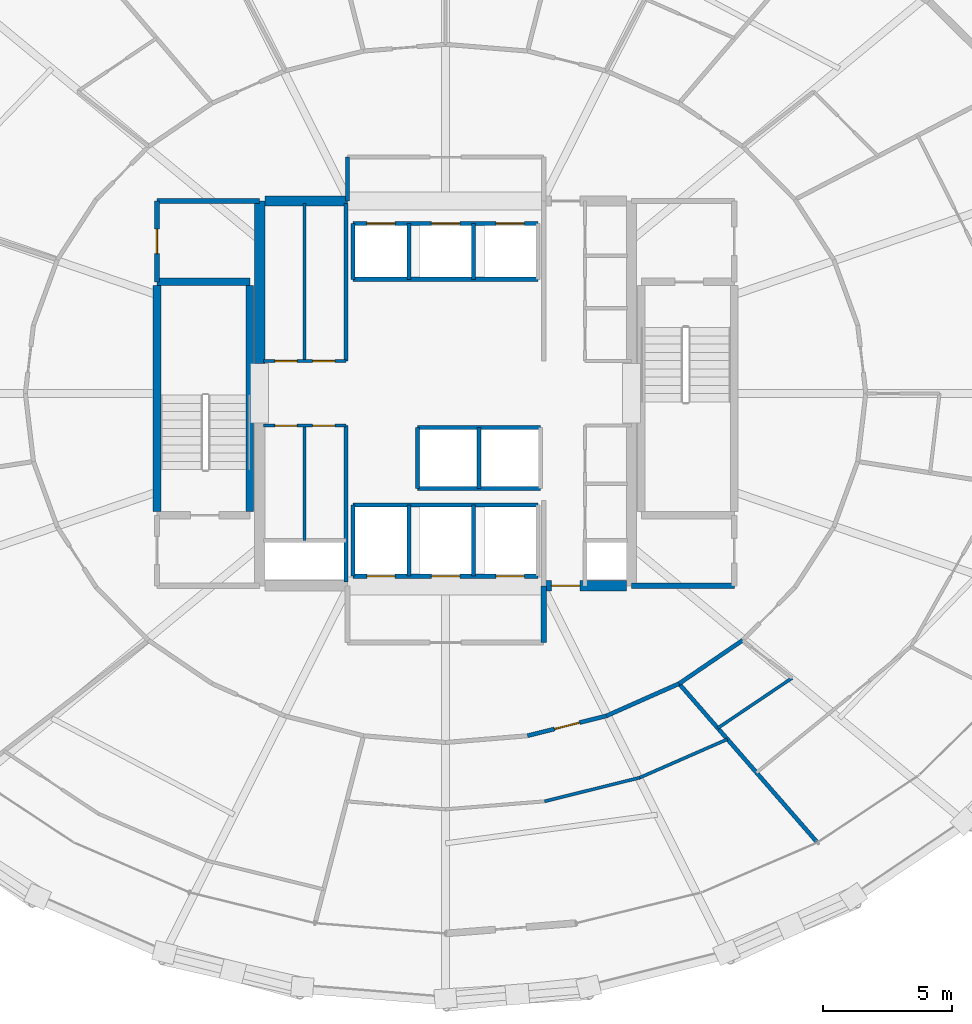
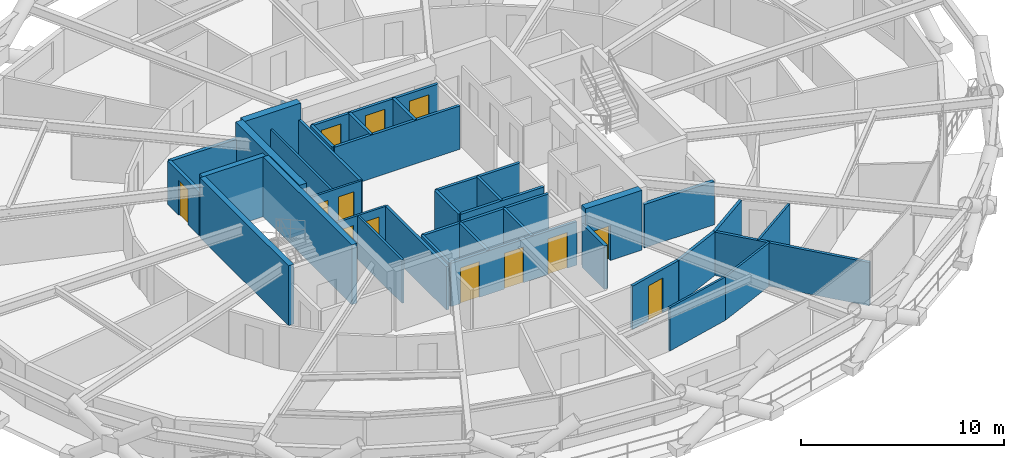
# One storey, part 14 of 19: 38 walls, 13 doors, 13 openings.
"""IFC4 building model written with IfcOpenShell, lengths in metres."""

from ifc_helpers import new_model, si_unit, direction, frame, frame_2d, origin, place, context, subcontext, project, spatial, rectangle, extrude, material, layer, layer_set, type_object, element, fill, save


model = new_model("IFC4")

# Units and contexts
model_context = context("Model", 3, precision=1e-05, world=origin(), true_north=direction((0.0, 1.0)))
body_context = subcontext(model_context, "Body", "Model", "MODEL_VIEW")
ifc_project = project(units=[si_unit("LENGTHUNIT", "METRE"), si_unit("AREAUNIT", "SQUARE_METRE"), si_unit("VOLUMEUNIT", "CUBIC_METRE"), si_unit("PLANEANGLEUNIT", "RADIAN"), si_unit("MASSUNIT", "GRAM", prefix="KILO")], contexts=[model_context])

# Site, building, storey
site_placement = place(None, origin())
site = spatial("IfcSite", under=ifc_project, at=site_placement, CompositionType="ELEMENT")
building_placement = place(site_placement, origin())
building = spatial("IfcBuilding", under=site, at=building_placement, Name="Veldorina Hangang Commons", CompositionType="ELEMENT")
storey_placement = place(building_placement, frame((0.0, 0.0, 52.0)))
storey = spatial("IfcBuildingStorey", under=building, at=storey_placement, Name="L12", CompositionType="ELEMENT", Elevation=52.0)

# Wall
ifc_material_1 = material(Name="Concrete C70/85", Category="concrete")
ifc_layer_1 = layer(ifc_material_1, 0.39990234375)
ifc_layer_set_1 = layer_set([ifc_layer_1], Name="Concrete C70/85")
wall_type_1 = type_object("IfcWallType", Name="CW-RC400-C70", PredefinedType="SHEAR", material=ifc_layer_set_1)
wall_1_placement = place(storey_placement, frame((24.800048828125, 25.14990234375, 0.0), z_axis=(0.0, 0.0, 1.0), x_axis=(0.0, 1.0, 0.0)))
element("IfcWall", 1, at=wall_1_placement, inside=storey, type_object=wall_type_1, Name="L12 W north core shear wall", PredefinedType="SHEAR", context=body_context, shape_type="SweptSolid", body=[
    extrude(rectangle(XDim=6.300048828125, YDim=0.39990234375, at=frame_2d((3.14990234375, 0.0))), origin(), (0.0, 0.0, 1.0), 3.60009765625),
])

# Wall, opening, door
wall_2_placement = place(storey_placement, frame((35.800048828125, 16.550048828125, 0.0), z_axis=(0.0, 0.0, 1.0), x_axis=(1.0, 0.0, 0.0)))
wall_2 = element("IfcWall", 2, at=wall_2_placement, inside=storey, type_object=wall_type_1, Name="L12 south-east core shear wall", PredefinedType="SHEAR", context=body_context, shape_type="SweptSolid", body=[
    extrude(rectangle(XDim=3.199951171875, YDim=0.39990234375, at=frame_2d((1.60009765625, 0.0))), origin(), (0.0, 0.0, 1.0), 3.60009765625),
])
opening_1_placement = place(wall_2_placement, frame((0.300048828125, 0.0, 0.0)))
opening_1 = element("IfcOpeningElement", 3, at=opening_1_placement, cuts=wall_2, Name="Opening D-08", PredefinedType="OPENING", context=body_context, shape_type="SweptSolid", body=[
    extrude(rectangle(XDim=1.10009765625, YDim=2.10009765625, at=frame_2d((0.550048828125, 1.050048828125))), frame((0.0, 0.2099609375, 0.0), z_axis=(0.0, -1.0, 0.0), x_axis=(1.0, 0.0, 0.0)), (0.0, 0.0, 1.0), 0.419921875),
])
ifc_material_2 = material(Name="Steel Fire-Rated Smoke Seal", Category="steel")
door_type_1 = type_object("IfcDoorType", Name="DR-FIRE-1100", OperationType="SINGLE_SWING_RIGHT", PredefinedType="DOOR", material=ifc_material_2)
door_1_placement = place(opening_1_placement, origin())
door_1 = element("IfcDoor", 4, at=door_1_placement, inside=storey, type_object=door_type_1, Name="L12 central lift lobby south corridor door", OperationType="SINGLE_SWING_RIGHT", OverallHeight=2.10009765625, OverallWidth=1.10009765625, PredefinedType="DOOR", context=body_context, shape_type="SweptSolid", body=[
    extrude(rectangle(XDim=1.10009765625, YDim=2.10009765625, at=frame_2d((0.550048828125, 1.050048828125))), frame((0.0, 0.02490234375, 0.0), z_axis=(0.0, -1.0, 0.0), x_axis=(1.0, 0.0, 0.0)), (0.0, 0.0, 1.0), 0.050048828125),
])
fill(opening_1, door_1)

# Walls
wall_3_placement = place(storey_placement, frame((25.0, 31.449951171875, 0.0), z_axis=(0.0, 0.0, 1.0), x_axis=(1.0, 0.0, 0.0)))
element("IfcWall", 5, at=wall_3_placement, inside=storey, type_object=wall_type_1, Name="L12 north-west core shear wall", PredefinedType="SHEAR", context=body_context, shape_type="SweptSolid", body=[
    extrude(rectangle(XDim=3.199951171875, YDim=0.39990234375, at=frame_2d((1.60009765625, 0.0))), origin(), (0.0, 0.0, 1.0), 3.60009765625),
])
ifc_material_3 = material(Name="Concrete C50/60", Category="concrete")
ifc_layer_2 = layer(ifc_material_3, 0.300048828125)
ifc_layer_set_2 = layer_set([ifc_layer_2], Name="Concrete C50/60")
wall_type_2 = type_object("IfcWallType", Name="SW-STAIR-300", PredefinedType="SHEAR", material=ifc_layer_set_2)
for number, where, z_axis, x_axis, name in (
    (6, (20.820068359375, 19.429931640625, 0.0), (0.0, 0.0, 1.0), (0.0, 1.0, 0.0), "L12 ST1 outer stair shear wall"),
    (7, (24.419921875, 19.429931640625, 0.0), (0.0, 0.0, 1.0), (0.0, 1.0, 0.0), "L12 ST1 inner stair shear wall"),
):
    element("IfcWall", number, at=place(storey_placement, frame(where, z_axis=z_axis, x_axis=x_axis)), inside=storey, type_object=wall_type_2, Name=name, PredefinedType="SHEAR", context=body_context, shape_type="SweptSolid", body=[
        extrude(rectangle(XDim=8.739990234375, YDim=0.300048828125, at=frame_2d((4.3701171875, 0.0))), origin(), (0.0, 0.0, 1.0), 3.60009765625),
    ])
wall_4_placement = place(storey_placement, frame((20.820068359375, 28.320068359375, 0.0), z_axis=(0.0, 0.0, 1.0), x_axis=(1.0, 0.0, 0.0)))
element("IfcWall", 8, at=wall_4_placement, inside=storey, type_object=wall_type_2, Name="L12 ST1 north stair shear wall", PredefinedType="SHEAR", context=body_context, shape_type="SweptSolid", body=[
    extrude(rectangle(XDim=3.599853515625, YDim=0.300048828125, at=frame_2d((1.7998046875, 0.0))), origin(), (0.0, 0.0, 1.0), 3.60009765625),
])

# Wall, openings, doors
ifc_material_4 = material(Name="Gypsum Fire-Rated Twin Stud Wall", Category="gypsum")
ifc_layer_3 = layer(ifc_material_4, 0.159912109375)
ifc_layer_set_3 = layer_set([ifc_layer_3], Name="Gypsum Fire-Rated Twin Stud Wall")
wall_type_3 = type_object("IfcWallType", Name="WL-FIRE-160", PredefinedType="SOLIDWALL", material=ifc_layer_set_3)
wall_5_placement = place(storey_placement, frame((28.419921875, 30.580078125, 0.0), z_axis=(0.0, 0.0, 1.0), x_axis=(1.0, 0.0, 0.0)))
wall_5 = element("IfcWall", 9, at=wall_5_placement, inside=storey, type_object=wall_type_3, Name="L12 Low-bank front shaft wall 015", PredefinedType="SOLIDWALL", context=body_context, shape_type="SweptSolid", body=[
    extrude(rectangle(XDim=7.16015625, YDim=0.159912109375, at=frame_2d((3.580078125, 0.0))), origin(), (0.0, 0.0, 1.0), 2.610107421875),
])
opening_2_placement = place(wall_5_placement, frame((0.530029296875, 0.0, 0.0)))
opening_2 = element("IfcOpeningElement", 10, at=opening_2_placement, cuts=wall_5, Name="Opening LD-01", PredefinedType="OPENING", context=body_context, shape_type="SweptSolid", body=[
    extrude(rectangle(XDim=1.10009765625, YDim=2.14990234375, at=frame_2d((0.550048828125, 1.074951171875))), frame((0.0, 0.08984375, 0.0), z_axis=(0.0, -1.0, 0.0), x_axis=(1.0, 0.0, 0.0)), (0.0, 0.0, 1.0), 0.179931640625),
])
opening_3_placement = place(wall_5_placement, frame((3.030029296875, 0.0, 0.0)))
opening_3 = element("IfcOpeningElement", 11, at=opening_3_placement, cuts=wall_5, Name="Opening LD-01", PredefinedType="OPENING", context=body_context, shape_type="SweptSolid", body=[
    extrude(rectangle(XDim=1.10009765625, YDim=2.14990234375, at=frame_2d((0.550048828125, 1.074951171875))), frame((0.0, 0.08984375, 0.0), z_axis=(0.0, -1.0, 0.0), x_axis=(1.0, 0.0, 0.0)), (0.0, 0.0, 1.0), 0.179931640625),
])
opening_4_placement = place(wall_5_placement, frame((5.530029296875, 0.0, 0.0)))
opening_4 = element("IfcOpeningElement", 12, at=opening_4_placement, cuts=wall_5, Name="Opening LD-01", PredefinedType="OPENING", context=body_context, shape_type="SweptSolid", body=[
    extrude(rectangle(XDim=1.10009765625, YDim=2.14990234375, at=frame_2d((0.550048828125, 1.074951171875))), frame((0.0, 0.08984375, 0.0), z_axis=(0.0, -1.0, 0.0), x_axis=(1.0, 0.0, 0.0)), (0.0, 0.0, 1.0), 0.179931640625),
])
ifc_material_5 = material(Name="Stainless Steel Brushed Lift Door", Category="steel")
door_type_2 = type_object("IfcDoorType", Name="DR-LIFT-1100", OperationType="SLIDING_TO_LEFT", PredefinedType="DOOR", material=ifc_material_5)
door_2_placement = place(opening_2_placement, origin())
door_2 = element("IfcDoor", 13, at=door_2_placement, inside=storey, type_object=door_type_2, Name="L12 Lift PL-L1 landing door 006", OperationType="SLIDING_TO_LEFT", OverallHeight=2.14990234375, OverallWidth=1.10009765625, PredefinedType="DOOR", context=body_context, shape_type="SweptSolid", body=[
    extrude(rectangle(XDim=1.10009765625, YDim=2.14990234375, at=frame_2d((0.550048828125, 1.074951171875))), frame((0.0, 0.02490234375, 0.0), z_axis=(0.0, -1.0, 0.0), x_axis=(1.0, 0.0, 0.0)), (0.0, 0.0, 1.0), 0.050048828125),
])
fill(opening_2, door_2)
door_3_placement = place(opening_3_placement, origin())
door_3 = element("IfcDoor", 14, at=door_3_placement, inside=storey, type_object=door_type_2, Name="L12 Lift PL-L2 landing door 007", OperationType="SLIDING_TO_LEFT", OverallHeight=2.14990234375, OverallWidth=1.10009765625, PredefinedType="DOOR", context=body_context, shape_type="SweptSolid", body=[
    extrude(rectangle(XDim=1.10009765625, YDim=2.14990234375, at=frame_2d((0.550048828125, 1.074951171875))), frame((0.0, 0.02490234375, 0.0), z_axis=(0.0, -1.0, 0.0), x_axis=(1.0, 0.0, 0.0)), (0.0, 0.0, 1.0), 0.050048828125),
])
fill(opening_3, door_3)
door_4_placement = place(opening_4_placement, origin())
door_4 = element("IfcDoor", 15, at=door_4_placement, inside=storey, type_object=door_type_2, Name="L12 Lift PL-L3 landing door 008", OperationType="SLIDING_TO_LEFT", OverallHeight=2.14990234375, OverallWidth=1.10009765625, PredefinedType="DOOR", context=body_context, shape_type="SweptSolid", body=[
    extrude(rectangle(XDim=1.10009765625, YDim=2.14990234375, at=frame_2d((0.550048828125, 1.074951171875))), frame((0.0, 0.02490234375, 0.0), z_axis=(0.0, -1.0, 0.0), x_axis=(1.0, 0.0, 0.0)), (0.0, 0.0, 1.0), 0.050048828125),
])
fill(opening_4, door_4)

# Walls
wall_6_placement = place(storey_placement, frame((28.419921875, 28.419921875, 0.0), z_axis=(0.0, 0.0, 1.0), x_axis=(1.0, 0.0, 0.0)))
element("IfcWall", 16, at=wall_6_placement, inside=storey, type_object=wall_type_3, Name="L12 Low-bank rear shaft wall 016", PredefinedType="SOLIDWALL", context=body_context, shape_type="SweptSolid", body=[
    extrude(rectangle(XDim=7.16015625, YDim=0.159912109375, at=frame_2d((3.580078125, 0.0))), origin(), (0.0, 0.0, 1.0), 2.610107421875),
])
for number, where, z_axis, x_axis, name in (
    (17, (28.419921875, 28.419921875, 0.0), (0.0, 0.0, 1.0), (0.0, 1.0, 0.0), "L12 PL-L1 west shaft wall 017"),
    (18, (30.580078125, 28.419921875, 0.0), (0.0, 0.0, 1.0), (0.0, 1.0, 0.0), "L12 PL-L1 east shaft wall 018"),
    (19, (33.080078125, 28.419921875, 0.0), (0.0, 0.0, 1.0), (0.0, 1.0, 0.0), "L12 PL-L2 east shaft wall 019"),
):
    element("IfcWall", number, at=place(storey_placement, frame(where, z_axis=z_axis, x_axis=x_axis)), inside=storey, type_object=wall_type_3, Name=name, PredefinedType="SOLIDWALL", context=body_context, shape_type="SweptSolid", body=[
        extrude(rectangle(XDim=2.16015625, YDim=0.159912109375, at=frame_2d((1.080078125, 0.0))), origin(), (0.0, 0.0, 1.0), 2.610107421875),
    ])
for number, where, z_axis, x_axis, name in (
    (20, (30.919921875, 22.679931640625, 0.0), (0.0, 0.0, 1.0), (1.0, 0.0, 0.0), "L12 Shuttle-high front shaft wall 021"),
    (21, (30.919921875, 20.320068359375, 0.0), (0.0, 0.0, 1.0), (1.0, 0.0, 0.0), "L12 Shuttle-high rear shaft wall 022"),
):
    element("IfcWall", number, at=place(storey_placement, frame(where, z_axis=z_axis, x_axis=x_axis)), inside=storey, type_object=wall_type_3, Name=name, PredefinedType="SOLIDWALL", context=body_context, shape_type="SweptSolid", body=[
        extrude(rectangle(XDim=4.760009765625, YDim=0.159912109375, at=frame_2d((2.3798828125, 0.0))), origin(), (0.0, 0.0, 1.0), 2.610107421875),
    ])
for number, where, z_axis, x_axis, name in (
    (22, (30.919921875, 20.320068359375, 0.0), (0.0, 0.0, 1.0), (0.0, 1.0, 0.0), "L12 SL-1 west shaft wall 023"),
    (23, (33.300048828125, 20.320068359375, 0.0), (0.0, 0.0, 1.0), (0.0, 1.0, 0.0), "L12 SL-1 east shaft wall 024"),
):
    element("IfcWall", number, at=place(storey_placement, frame(where, z_axis=z_axis, x_axis=x_axis)), inside=storey, type_object=wall_type_3, Name=name, PredefinedType="SOLIDWALL", context=body_context, shape_type="SweptSolid", body=[
        extrude(rectangle(XDim=2.35986328125, YDim=0.159912109375, at=frame_2d((1.179931640625, 0.0))), origin(), (0.0, 0.0, 1.0), 2.610107421875),
    ])

# Wall, openings, doors
wall_7_placement = place(storey_placement, frame((28.419921875, 16.919921875, 0.0), z_axis=(0.0, 0.0, 1.0), x_axis=(1.0, 0.0, 0.0)))
wall_7 = element("IfcWall", 24, at=wall_7_placement, inside=storey, type_object=wall_type_3, Name="L12 Emergency front shaft wall 026", PredefinedType="SOLIDWALL", context=body_context, shape_type="SweptSolid", body=[
    extrude(rectangle(XDim=7.16015625, YDim=0.159912109375, at=frame_2d((3.580078125, 0.0))), origin(), (0.0, 0.0, 1.0), 2.610107421875),
])
opening_5_placement = place(wall_7_placement, frame((0.530029296875, 0.0, 0.0)))
opening_5 = element("IfcOpeningElement", 25, at=opening_5_placement, cuts=wall_7, Name="Opening LD-03", PredefinedType="OPENING", context=body_context, shape_type="SweptSolid", body=[
    extrude(rectangle(XDim=1.10009765625, YDim=2.14990234375, at=frame_2d((0.550048828125, 1.074951171875))), frame((0.0, 0.08984375, 0.0), z_axis=(0.0, -1.0, 0.0), x_axis=(1.0, 0.0, 0.0)), (0.0, 0.0, 1.0), 0.179931640625),
])
opening_6_placement = place(wall_7_placement, frame((3.030029296875, 0.0, 0.0)))
opening_6 = element("IfcOpeningElement", 26, at=opening_6_placement, cuts=wall_7, Name="Opening LD-03", PredefinedType="OPENING", context=body_context, shape_type="SweptSolid", body=[
    extrude(rectangle(XDim=1.10009765625, YDim=2.14990234375, at=frame_2d((0.550048828125, 1.074951171875))), frame((0.0, 0.08984375, 0.0), z_axis=(0.0, -1.0, 0.0), x_axis=(1.0, 0.0, 0.0)), (0.0, 0.0, 1.0), 0.179931640625),
])
opening_7_placement = place(wall_7_placement, frame((5.530029296875, 0.0, 0.0)))
opening_7 = element("IfcOpeningElement", 27, at=opening_7_placement, cuts=wall_7, Name="Opening LD-03", PredefinedType="OPENING", context=body_context, shape_type="SweptSolid", body=[
    extrude(rectangle(XDim=1.10009765625, YDim=2.14990234375, at=frame_2d((0.550048828125, 1.074951171875))), frame((0.0, 0.08984375, 0.0), z_axis=(0.0, -1.0, 0.0), x_axis=(1.0, 0.0, 0.0)), (0.0, 0.0, 1.0), 0.179931640625),
])
ifc_material_6 = material(Name="Stainless Steel Firefighting Lift Door", Category="steel")
door_type_3 = type_object("IfcDoorType", Name="DR-LIFT-FF1100", OperationType="SLIDING_TO_RIGHT", PredefinedType="DOOR", material=ifc_material_6)
door_5_placement = place(opening_5_placement, origin())
door_5 = element("IfcDoor", 28, at=door_5_placement, inside=storey, type_object=door_type_3, Name="L12 Emergency lift FFL-1 landing door 009", OperationType="SLIDING_TO_RIGHT", OverallHeight=2.14990234375, OverallWidth=1.10009765625, PredefinedType="DOOR", context=body_context, shape_type="SweptSolid", body=[
    extrude(rectangle(XDim=1.10009765625, YDim=2.14990234375, at=frame_2d((0.550048828125, 1.074951171875))), frame((0.0, 0.02490234375, 0.0), z_axis=(0.0, -1.0, 0.0), x_axis=(1.0, 0.0, 0.0)), (0.0, 0.0, 1.0), 0.050048828125),
])
fill(opening_5, door_5)
door_6_placement = place(opening_6_placement, origin())
door_6 = element("IfcDoor", 29, at=door_6_placement, inside=storey, type_object=door_type_3, Name="L12 Emergency lift FFL-2 landing door 010", OperationType="SLIDING_TO_RIGHT", OverallHeight=2.14990234375, OverallWidth=1.10009765625, PredefinedType="DOOR", context=body_context, shape_type="SweptSolid", body=[
    extrude(rectangle(XDim=1.10009765625, YDim=2.14990234375, at=frame_2d((0.550048828125, 1.074951171875))), frame((0.0, 0.02490234375, 0.0), z_axis=(0.0, -1.0, 0.0), x_axis=(1.0, 0.0, 0.0)), (0.0, 0.0, 1.0), 0.050048828125),
])
fill(opening_6, door_6)
door_7_placement = place(opening_7_placement, origin())
door_7 = element("IfcDoor", 30, at=door_7_placement, inside=storey, type_object=door_type_3, Name="L12 Emergency lift EVL-1 landing door 011", OperationType="SLIDING_TO_RIGHT", OverallHeight=2.14990234375, OverallWidth=1.10009765625, PredefinedType="DOOR", context=body_context, shape_type="SweptSolid", body=[
    extrude(rectangle(XDim=1.10009765625, YDim=2.14990234375, at=frame_2d((0.550048828125, 1.074951171875))), frame((0.0, 0.02490234375, 0.0), z_axis=(0.0, -1.0, 0.0), x_axis=(1.0, 0.0, 0.0)), (0.0, 0.0, 1.0), 0.050048828125),
])
fill(opening_7, door_7)

# Walls
wall_8_placement = place(storey_placement, frame((28.419921875, 19.679931640625, 0.0), z_axis=(0.0, 0.0, 1.0), x_axis=(1.0, 0.0, 0.0)))
element("IfcWall", 31, at=wall_8_placement, inside=storey, type_object=wall_type_3, Name="L12 Emergency rear shaft wall 027", PredefinedType="SOLIDWALL", context=body_context, shape_type="SweptSolid", body=[
    extrude(rectangle(XDim=7.16015625, YDim=0.159912109375, at=frame_2d((3.580078125, 0.0))), origin(), (0.0, 0.0, 1.0), 2.610107421875),
])
for number, where, z_axis, x_axis, name in (
    (32, (28.419921875, 16.919921875, 0.0), (0.0, 0.0, 1.0), (0.0, 1.0, 0.0), "L12 FFL-1 west shaft wall 028"),
    (33, (30.580078125, 16.919921875, 0.0), (0.0, 0.0, 1.0), (0.0, 1.0, 0.0), "L12 FFL-1 east shaft wall 029"),
    (34, (33.080078125, 16.919921875, 0.0), (0.0, 0.0, 1.0), (0.0, 1.0, 0.0), "L12 FFL-2 east shaft wall 030"),
):
    element("IfcWall", number, at=place(storey_placement, frame(where, z_axis=z_axis, x_axis=x_axis)), inside=storey, type_object=wall_type_3, Name=name, PredefinedType="SOLIDWALL", context=body_context, shape_type="SweptSolid", body=[
        extrude(rectangle(XDim=2.760009765625, YDim=0.159912109375, at=frame_2d((1.3798828125, 0.0))), origin(), (0.0, 0.0, 1.0), 2.610107421875),
    ])
wall_9_placement = place(storey_placement, frame((28.199951171875, 31.449951171875, 0.0), z_axis=(0.0, 0.0, 1.0), x_axis=(0.0, 1.0, 0.0)))
element("IfcWall", 35, at=wall_9_placement, inside=storey, type_object=wall_type_3, Name="L12 North lobby west wall 032", PredefinedType="SOLIDWALL", context=body_context, shape_type="SweptSolid", body=[
    extrude(rectangle(XDim=1.699951171875, YDim=0.159912109375, at=frame_2d((0.85009765625, 0.0))), origin(), (0.0, 0.0, 1.0), 2.610107421875),
])
wall_10_placement = place(storey_placement, frame((28.14990234375, 16.699951171875, 0.0), z_axis=(0.0, 0.0, 1.0), x_axis=(0.0, 1.0, 0.0)))
element("IfcWall", 36, at=wall_10_placement, inside=storey, type_object=wall_type_3, Name="L12 SW core inner wall 036", PredefinedType="SOLIDWALL", context=body_context, shape_type="SweptSolid", body=[
    extrude(rectangle(XDim=6.050048828125, YDim=0.159912109375, at=frame_2d((3.02490234375, 0.0))), origin(), (0.0, 0.0, 1.0), 2.610107421875),
])
wall_11_placement = place(storey_placement, frame((28.14990234375, 25.25, 0.0), z_axis=(0.0, 0.0, 1.0), x_axis=(0.0, 1.0, 0.0)))
element("IfcWall", 37, at=wall_11_placement, inside=storey, type_object=wall_type_3, Name="L12 NW core inner wall 038", PredefinedType="SOLIDWALL", context=body_context, shape_type="SweptSolid", body=[
    extrude(rectangle(XDim=6.10009765625, YDim=0.159912109375, at=frame_2d((3.050048828125, 0.0))), origin(), (0.0, 0.0, 1.0), 2.610107421875),
])

# Wall, opening, door
wall_12_placement = place(storey_placement, frame((35.1748046875, 10.74169921875, 0.0), z_axis=(0.0, 0.0, 1.0), x_axis=(0.969689238064, 0.244341526521, 0.0)))
wall_12 = element("IfcWall", 38, at=wall_12_placement, inside=storey, type_object=wall_type_3, Name="L12 Corridor outer wall 25 075", PredefinedType="SOLIDWALL", context=body_context, shape_type="SweptSolid", body=[
    extrude(rectangle(XDim=3.1484375, YDim=0.159912109375, at=frame_2d((1.57421875, 0.0))), origin(), (0.0, 0.0, 1.0), 2.610107421875),
])
opening_8_placement = place(wall_12_placement, frame((1.07421875, 0.0, 0.0)))
opening_8 = element("IfcOpeningElement", 39, at=opening_8_placement, cuts=wall_12, Name="Opening D-05", PredefinedType="OPENING", context=body_context, shape_type="SweptSolid", body=[
    extrude(rectangle(XDim=1.0, YDim=2.10009765625, at=frame_2d((0.5, 1.050048828125))), frame((0.0, 0.08984375, 0.0), z_axis=(0.0, -1.0, 0.0), x_axis=(1.0, 0.0, 0.0)), (0.0, 0.0, 1.0), 0.179931640625),
])
ifc_material_7 = material(Name="Timber Solid Core Acoustic", Category="wood")
door_type_4 = type_object("IfcDoorType", Name="DR-INT-1000", OperationType="SINGLE_SWING_RIGHT", PredefinedType="DOOR", material=ifc_material_7)
door_8_placement = place(opening_8_placement, origin())
door_8 = element("IfcDoor", 40, at=door_8_placement, inside=storey, type_object=door_type_4, Name="L12 Commons alcove door 022", OperationType="SINGLE_SWING_RIGHT", OverallHeight=2.10009765625, OverallWidth=1.0, PredefinedType="DOOR", context=body_context, shape_type="SweptSolid", body=[
    extrude(rectangle(XDim=1.0, YDim=2.10009765625, at=frame_2d((0.5, 1.050048828125))), frame((0.0, 0.02490234375, 0.0), z_axis=(0.0, -1.0, 0.0), x_axis=(1.0, 0.0, 0.0)), (0.0, 0.0, 1.0), 0.050048828125),
])
fill(opening_8, door_8)

# Walls
wall_13_placement = place(storey_placement, frame((38.227783203125, 11.510986328125, 0.0), z_axis=(0.0, 0.0, 1.0), x_axis=(0.913952123493, 0.405822024984, 0.0)))
element("IfcWall", 41, at=wall_13_placement, inside=storey, type_object=wall_type_3, Name="L12 Corridor outer wall 26 076", PredefinedType="SOLIDWALL", context=body_context, shape_type="SweptSolid", body=[
    extrude(rectangle(XDim=3.078369140625, YDim=0.159912109375, at=frame_2d((1.5390625, 0.0))), origin(), (0.0, 0.0, 1.0), 2.610107421875),
])
wall_14_placement = place(storey_placement, frame((41.041259765625, 12.76025390625, 0.0), z_axis=(0.0, 0.0, 1.0), x_axis=(0.826293096206, 0.56324037423, 0.0)))
element("IfcWall", 42, at=wall_14_placement, inside=storey, type_object=wall_type_3, Name="L12 Corridor outer wall 27 077", PredefinedType="SOLIDWALL", context=body_context, shape_type="SweptSolid", body=[
    extrude(rectangle(XDim=2.98486328125, YDim=0.159912109375, at=frame_2d((1.492431640625, 0.0))), origin(), (0.0, 0.0, 1.0), 2.610107421875),
])
wall_15_placement = place(storey_placement, frame((41.041259765625, 12.76025390625, 0.0), z_axis=(0.0, 0.0, 1.0), x_axis=(0.656743729698, -0.754113833252, 0.0)))
element("IfcWall", 43, at=wall_15_placement, inside=storey, type_object=wall_type_3, Name="L12 Unit party wall 27 087", PredefinedType="SOLIDWALL", context=body_context, shape_type="SweptSolid", body=[
    extrude(rectangle(XDim=8.106201171875, YDim=0.159912109375, at=frame_2d((4.05322265625, 0.0))), origin(), (0.0, 0.0, 1.0), 2.610107421875),
])

# Wall, opening, door
ifc_material_8 = material(Name="Concrete Blockwork Fire Wall C30/37", Category="masonry")
ifc_layer_4 = layer(ifc_material_8, 0.199951171875)
ifc_layer_set_4 = layer_set([ifc_layer_4], Name="Concrete Blockwork Fire Wall C30/37")
wall_type_4 = type_object("IfcWallType", Name="WL-FIRE-200", PredefinedType="SOLIDWALL", material=ifc_layer_set_4)
wall_16_placement = place(storey_placement, frame((20.820068359375, 28.320068359375, 0.0), z_axis=(0.0, 0.0, 1.0), x_axis=(0.0, 1.0, 0.0)))
wall_16 = element("IfcWall", 44, at=wall_16_placement, inside=storey, type_object=wall_type_4, Name="L12 NW core room outer wall 005", PredefinedType="SOLIDWALL", context=body_context, shape_type="SweptSolid", body=[
    extrude(rectangle(XDim=3.1298828125, YDim=0.199951171875, at=frame_2d((1.56494140625, 0.0))), origin(), (0.0, 0.0, 1.0), 2.610107421875),
])
opening_9_placement = place(wall_16_placement, frame((1.090087890625, 0.0, 0.0)))
opening_9 = element("IfcOpeningElement", 45, at=opening_9_placement, cuts=wall_16, Name="Opening D-04", PredefinedType="OPENING", context=body_context, shape_type="SweptSolid", body=[
    extrude(rectangle(XDim=0.949951171875, YDim=2.10009765625, at=frame_2d((0.47509765625, 1.050048828125))), frame((0.0, 0.10986328125, 0.0), z_axis=(0.0, -1.0, 0.0), x_axis=(1.0, 0.0, 0.0)), (0.0, 0.0, 1.0), 0.219970703125),
])
ifc_material_9 = material(Name="Timber Accessible Flush Leaf", Category="wood")
door_type_5 = type_object("IfcDoorType", Name="DR-ACC-950", OperationType="SINGLE_SWING_LEFT", PredefinedType="DOOR", material=ifc_material_9)
door_9_placement = place(opening_9_placement, origin())
door_9 = element("IfcDoor", 46, at=door_9_placement, inside=storey, type_object=door_type_5, Name="L12 NW core WC door 003", OperationType="SINGLE_SWING_LEFT", OverallHeight=2.10009765625, OverallWidth=0.949951171875, PredefinedType="DOOR", context=body_context, shape_type="SweptSolid", body=[
    extrude(rectangle(XDim=0.949951171875, YDim=2.10009765625, at=frame_2d((0.47509765625, 1.050048828125))), frame((0.0, 0.02490234375, 0.0), z_axis=(0.0, -1.0, 0.0), x_axis=(1.0, 0.0, 0.0)), (0.0, 0.0, 1.0), 0.050048828125),
])
fill(opening_9, door_9)

# Walls
for number, where, z_axis, x_axis, name in (
    (47, (20.820068359375, 31.449951171875, 0.0), (0.0, 0.0, 1.0), (1.0, 0.0, 0.0), "L12 NW core room north wall 006"),
    (48, (39.199951171875, 16.550048828125, 0.0), (0.0, 0.0, 1.0), (1.0, 0.0, 0.0), "L12 SE core room south wall 008"),
):
    element("IfcWall", number, at=place(storey_placement, frame(where, z_axis=z_axis, x_axis=x_axis)), inside=storey, type_object=wall_type_4, Name=name, PredefinedType="SOLIDWALL", context=body_context, shape_type="SweptSolid", body=[
        extrude(rectangle(XDim=3.97998046875, YDim=0.199951171875, at=frame_2d((1.989990234375, 0.0))), origin(), (0.0, 0.0, 1.0), 2.610107421875),
    ])
wall_17_placement = place(storey_placement, frame((35.800048828125, 14.35009765625, 0.0), z_axis=(0.0, 0.0, 1.0), x_axis=(0.0, 1.0, 0.0)))
element("IfcWall", 49, at=wall_17_placement, inside=storey, type_object=wall_type_4, Name="L12 FF lobby east wall 013", PredefinedType="SOLIDWALL", context=body_context, shape_type="SweptSolid", body=[
    extrude(rectangle(XDim=2.199951171875, YDim=0.199951171875, at=frame_2d((1.10009765625, 0.0))), origin(), (0.0, 0.0, 1.0), 2.610107421875),
])

# Wall, openings, doors
ifc_material_10 = material(Name="Gypsum Acoustic Stud Partition", Category="gypsum")
ifc_layer_5 = layer(ifc_material_10, 0.1201171875)
ifc_layer_set_5 = layer_set([ifc_layer_5], Name="Gypsum Acoustic Stud Partition")
wall_type_5 = type_object("IfcWallType", Name="WL-PART-120", PredefinedType="PARTITIONING", material=ifc_layer_set_5)
wall_18_placement = place(storey_placement, frame((24.949951171875, 25.25, 0.0), z_axis=(0.0, 0.0, 1.0), x_axis=(1.0, 0.0, 0.0)))
wall_18 = element("IfcWall", 50, at=wall_18_placement, inside=storey, type_object=wall_type_5, Name="L12 NW service south wall 039", PredefinedType="PARTITIONING", context=body_context, shape_type="SweptSolid", body=[
    extrude(rectangle(XDim=3.199951171875, YDim=0.1201171875, at=frame_2d((1.60009765625, 0.0))), origin(), (0.0, 0.0, 1.0), 2.610107421875),
])
opening_10_placement = place(wall_18_placement, frame((0.43994140625, 0.0, 0.0)))
opening_10 = element("IfcOpeningElement", 51, at=opening_10_placement, cuts=wall_18, Name="Opening D-01", PredefinedType="OPENING", context=body_context, shape_type="SweptSolid", body=[
    extrude(rectangle(XDim=0.860107421875, YDim=2.10009765625, at=frame_2d((0.43017578125, 1.050048828125))), frame((0.0, 0.070068359375, 0.0), z_axis=(0.0, -1.0, 0.0), x_axis=(1.0, 0.0, 0.0)), (0.0, 0.0, 1.0), 0.14013671875),
])
opening_11_placement = place(wall_18_placement, frame((1.89990234375, 0.0, 0.0)))
opening_11 = element("IfcOpeningElement", 52, at=opening_11_placement, cuts=wall_18, Name="Opening D-01", PredefinedType="OPENING", context=body_context, shape_type="SweptSolid", body=[
    extrude(rectangle(XDim=0.860107421875, YDim=2.10009765625, at=frame_2d((0.43017578125, 1.050048828125))), frame((0.0, 0.070068359375, 0.0), z_axis=(0.0, -1.0, 0.0), x_axis=(1.0, 0.0, 0.0)), (0.0, 0.0, 1.0), 0.14013671875),
])
ifc_material_11 = material(Name="Timber Moisture-Resistant Core", Category="wood")
door_type_6 = type_object("IfcDoorType", Name="DR-WET-860", OperationType="SINGLE_SWING_LEFT", PredefinedType="DOOR", material=ifc_material_11)
door_10_placement = place(opening_10_placement, origin())
door_10 = element("IfcDoor", 53, at=door_10_placement, inside=storey, type_object=door_type_6, Name="L12 Linen west door 013", OperationType="SINGLE_SWING_LEFT", OverallHeight=2.10009765625, OverallWidth=0.860107421875, PredefinedType="DOOR", context=body_context, shape_type="SweptSolid", body=[
    extrude(rectangle(XDim=0.860107421875, YDim=2.10009765625, at=frame_2d((0.43017578125, 1.050048828125))), frame((0.0, 0.02490234375, 0.0), z_axis=(0.0, -1.0, 0.0), x_axis=(1.0, 0.0, 0.0)), (0.0, 0.0, 1.0), 0.050048828125),
])
fill(opening_10, door_10)
door_11_placement = place(opening_11_placement, origin())
door_11 = element("IfcDoor", 54, at=door_11_placement, inside=storey, type_object=door_type_6, Name="L12 Data closet door 014", OperationType="SINGLE_SWING_RIGHT", OverallHeight=2.10009765625, OverallWidth=0.860107421875, PredefinedType="DOOR", context=body_context, shape_type="SweptSolid", body=[
    extrude(rectangle(XDim=0.860107421875, YDim=2.10009765625, at=frame_2d((0.43017578125, 1.050048828125))), frame((0.0, 0.02490234375, 0.0), z_axis=(0.0, -1.0, 0.0), x_axis=(1.0, 0.0, 0.0)), (0.0, 0.0, 1.0), 0.050048828125),
])
fill(opening_11, door_11)

wall_19_placement = place(storey_placement, frame((24.949951171875, 22.75, 0.0), z_axis=(0.0, 0.0, 1.0), x_axis=(1.0, 0.0, 0.0)))
wall_19 = element("IfcWall", 55, at=wall_19_placement, inside=storey, type_object=wall_type_5, Name="L12 SW service north wall 040", PredefinedType="PARTITIONING", context=body_context, shape_type="SweptSolid", body=[
    extrude(rectangle(XDim=3.199951171875, YDim=0.1201171875, at=frame_2d((1.60009765625, 0.0))), origin(), (0.0, 0.0, 1.0), 2.610107421875),
])
opening_12_placement = place(wall_19_placement, frame((0.43994140625, 0.0, 0.0)))
opening_12 = element("IfcOpeningElement", 56, at=opening_12_placement, cuts=wall_19, Name="Opening D-01", PredefinedType="OPENING", context=body_context, shape_type="SweptSolid", body=[
    extrude(rectangle(XDim=0.860107421875, YDim=2.10009765625, at=frame_2d((0.43017578125, 1.050048828125))), frame((0.0, 0.070068359375, 0.0), z_axis=(0.0, -1.0, 0.0), x_axis=(1.0, 0.0, 0.0)), (0.0, 0.0, 1.0), 0.14013671875),
])
opening_13_placement = place(wall_19_placement, frame((1.89990234375, 0.0, 0.0)))
opening_13 = element("IfcOpeningElement", 57, at=opening_13_placement, cuts=wall_19, Name="Opening D-01", PredefinedType="OPENING", context=body_context, shape_type="SweptSolid", body=[
    extrude(rectangle(XDim=0.860107421875, YDim=2.10009765625, at=frame_2d((0.43017578125, 1.050048828125))), frame((0.0, 0.070068359375, 0.0), z_axis=(0.0, -1.0, 0.0), x_axis=(1.0, 0.0, 0.0)), (0.0, 0.0, 1.0), 0.14013671875),
])
door_12_placement = place(opening_12_placement, origin())
door_12 = element("IfcDoor", 58, at=door_12_placement, inside=storey, type_object=door_type_6, Name="L12 Cleaners door 015", OperationType="SINGLE_SWING_LEFT", OverallHeight=2.10009765625, OverallWidth=0.860107421875, PredefinedType="DOOR", context=body_context, shape_type="SweptSolid", body=[
    extrude(rectangle(XDim=0.860107421875, YDim=2.10009765625, at=frame_2d((0.43017578125, 1.050048828125))), frame((0.0, 0.02490234375, 0.0), z_axis=(0.0, -1.0, 0.0), x_axis=(1.0, 0.0, 0.0)), (0.0, 0.0, 1.0), 0.050048828125),
])
fill(opening_12, door_12)
door_13_placement = place(opening_13_placement, origin())
door_13 = element("IfcDoor", 59, at=door_13_placement, inside=storey, type_object=door_type_6, Name="L12 Metering door 016", OperationType="SINGLE_SWING_RIGHT", OverallHeight=2.10009765625, OverallWidth=0.860107421875, PredefinedType="DOOR", context=body_context, shape_type="SweptSolid", body=[
    extrude(rectangle(XDim=0.860107421875, YDim=2.10009765625, at=frame_2d((0.43017578125, 1.050048828125))), frame((0.0, 0.02490234375, 0.0), z_axis=(0.0, -1.0, 0.0), x_axis=(1.0, 0.0, 0.0)), (0.0, 0.0, 1.0), 0.050048828125),
])
fill(opening_13, door_13)

# Walls
wall_20_placement = place(storey_placement, frame((26.530029296875, 25.25, 0.0), z_axis=(0.0, 0.0, 1.0), x_axis=(0.0, 1.0, 0.0)))
element("IfcWall", 60, at=wall_20_placement, inside=storey, type_object=wall_type_5, Name="L12 NW vertical split 045", PredefinedType="PARTITIONING", context=body_context, shape_type="SweptSolid", body=[
    extrude(rectangle(XDim=6.10009765625, YDim=0.1201171875, at=frame_2d((3.050048828125, 0.0))), origin(), (0.0, 0.0, 1.0), 2.610107421875),
])
wall_21_placement = place(storey_placement, frame((26.530029296875, 18.300048828125, 0.0), z_axis=(0.0, 0.0, 1.0), x_axis=(0.0, 1.0, 0.0)))
element("IfcWall", 61, at=wall_21_placement, inside=storey, type_object=wall_type_5, Name="L12 SW vertical split 046", PredefinedType="PARTITIONING", context=body_context, shape_type="SweptSolid", body=[
    extrude(rectangle(XDim=4.449951171875, YDim=0.1201171875, at=frame_2d((2.22509765625, 0.0))), origin(), (0.0, 0.0, 1.0), 2.610107421875),
])
wall_22_placement = place(storey_placement, frame((35.833251953125, 8.202392578125, 0.0), z_axis=(0.0, 0.0, 1.0), x_axis=(0.970432951053, 0.24137085058, 0.0)))
element("IfcWall", 62, at=wall_22_placement, inside=storey, type_object=wall_type_5, Name="L12 Lounge alcove split 2 085", PredefinedType="PARTITIONING", context=body_context, shape_type="SweptSolid", body=[
    extrude(rectangle(XDim=3.798095703125, YDim=0.1201171875, at=frame_2d((1.89892578125, 0.0))), origin(), (0.0, 0.0, 1.0), 2.610107421875),
])
wall_23_placement = place(storey_placement, frame((39.51904296875, 9.119140625, 0.0), z_axis=(0.0, 0.0, 1.0), x_axis=(0.91594871557, 0.401295340672, 0.0)))
element("IfcWall", 63, at=wall_23_placement, inside=storey, type_object=wall_type_5, Name="L12 Lounge alcove split 3 086", PredefinedType="PARTITIONING", context=body_context, shape_type="SweptSolid", body=[
    extrude(rectangle(XDim=3.708740234375, YDim=0.1201171875, at=frame_2d((1.8544921875, 0.0))), origin(), (0.0, 0.0, 1.0), 2.610107421875),
])
wall_24_placement = place(storey_placement, frame((42.541015625, 11.0380859375, 0.0), z_axis=(0.0, 0.0, 1.0), x_axis=(0.829125253788, 0.559062888709, 0.0)))
element("IfcWall", 64, at=wall_24_placement, inside=storey, type_object=wall_type_5, Name="L12 Cluster 2 bath front wall 088", PredefinedType="PARTITIONING", context=body_context, shape_type="SweptSolid", body=[
    extrude(rectangle(XDim=3.4677734375, YDim=0.1201171875, at=frame_2d((1.73388671875, 0.0))), origin(), (0.0, 0.0, 1.0), 2.610107421875),
])

save(model, "model.ifc")
